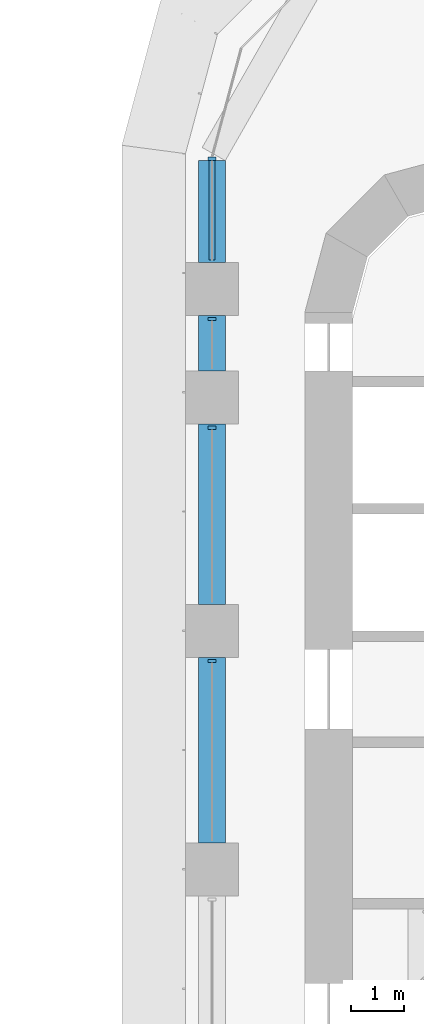
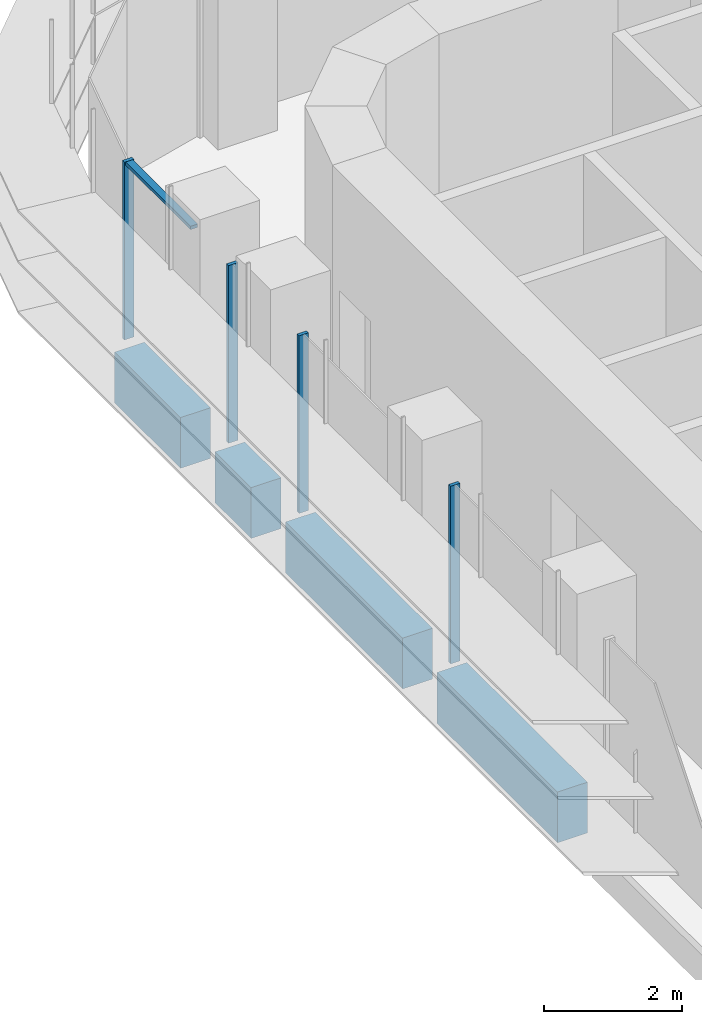
# One storey, part 7 of 23: 5 members, 4 beams, 1 element without a shape of its own.
"""IFC4 building model written with IfcOpenShell, lengths in metres."""

from ifc_helpers import new_model, si_unit, direction, frame, origin, origin_2d, place, context, subcontext, project, spatial, polyline, rectangle, outline, extrude, source, transform, mapped, material, material_profile, profile_set, type_object, element, aggregate, save


model = new_model("IFC4")

# Units and contexts
model_context = context("Model", 3, precision=1e-05, world=origin(), true_north=direction((0.0, 1.0)))
body_context = subcontext(model_context, "Body", "Model", "MODEL_VIEW")
ifc_project = project(units=[si_unit("LENGTHUNIT", "METRE"), si_unit("AREAUNIT", "SQUARE_METRE"), si_unit("VOLUMEUNIT", "CUBIC_METRE"), si_unit("PLANEANGLEUNIT", "RADIAN"), si_unit("MASSUNIT", "GRAM", prefix="KILO")], contexts=[model_context])

# Site, building, storey
site_placement = place(None, origin())
site = spatial("IfcSite", under=ifc_project, at=site_placement, CompositionType="ELEMENT")
building_placement = place(site_placement, origin())
building = spatial("IfcBuilding", under=site, at=building_placement, Name="Zarbagh Exchange Tower", CompositionType="ELEMENT")
storey_placement = place(building_placement, frame((0.0, 0.0, 35.39990234375)))
storey = spatial("IfcBuildingStorey", under=building, at=storey_placement, Name="L07", CompositionType="ELEMENT", Elevation=35.39990234375)

# Beams
ifc_material_1 = material(Name="Concrete C60/75", Category="concrete")
ifc_material_profile = material_profile(ifc_material_1, rectangle(XDim=0.5, YDim=0.89990234375, at=origin_2d()), Name="RC spandrel beam 500 x 900 C60/75")
ifc_profile_set = profile_set([ifc_material_profile], Name="Concrete C60/75")
beam_type = type_object("IfcBeamType", Name="RC spandrel beam 500 x 900 C60/75", PredefinedType="SPANDREL", material=ifc_profile_set)
beam_1_placement = place(storey_placement, frame((-6.25, 16.25, -0.599853515625), z_axis=(0.0, 1.0, 0.0), x_axis=(-1.0, 0.0, 0.0)))
element("IfcBeam", 1, at=beam_1_placement, inside=storey, type_object=beam_type, Name="RC spandrel beam", PredefinedType="SPANDREL", context=body_context, shape_type="SweptSolid", body=[
    extrude(rectangle(XDim=0.5, YDim=0.89990234375, at=origin_2d()), origin(), (0.0, 0.0, 1.0), 3.5),
])
beam_2_placement = place(storey_placement, frame((-6.25, 20.75, -0.599853515625), z_axis=(0.0, 1.0, 0.0), x_axis=(-1.0, 0.0, 0.0)))
element("IfcBeam", 2, at=beam_2_placement, inside=storey, type_object=beam_type, Name="RC spandrel beam", PredefinedType="SPANDREL", context=body_context, shape_type="SweptSolid", body=[
    extrude(rectangle(XDim=0.5, YDim=0.89990234375, at=origin_2d()), origin(), (0.0, 0.0, 1.0), 3.39990234375),
])
beam_3_placement = place(storey_placement, frame((-6.25, 25.14990234375, -0.599853515625), z_axis=(0.0, 1.0, 0.0), x_axis=(-1.0, 0.0, 0.0)))
element("IfcBeam", 3, at=beam_3_placement, inside=storey, type_object=beam_type, Name="RC spandrel beam", PredefinedType="SPANDREL", context=body_context, shape_type="SweptSolid", body=[
    extrude(rectangle(XDim=0.5, YDim=0.89990234375, at=origin_2d()), origin(), (0.0, 0.0, 1.0), 1.050048828125),
])
beam_4_placement = place(storey_placement, frame((-6.25, 27.199951171875, -0.599853515625), z_axis=(0.0, 1.0, 0.0), x_axis=(-1.0, 0.0, 0.0)))
element("IfcBeam", 4, at=beam_4_placement, inside=storey, type_object=beam_type, Name="RC spandrel beam", PredefinedType="SPANDREL", context=body_context, shape_type="SweptSolid", body=[
    extrude(rectangle(XDim=0.5, YDim=0.89990234375, at=origin_2d()), origin(), (0.0, 0.0, 1.0), 1.91796875),
])

# Curtain wall, members
ifc_material_2 = material(Name="Anodised aluminium frame and glazing", Category="aluminium")
curtain_wall_type = type_object("IfcCurtainWallType", Name="CWA Ribbon glazing, lower zones", PredefinedType="NOTDEFINED", material=ifc_material_2)
curtain_wall_placement = place(storey_placement, origin())
curtain_wall = element("IfcCurtainWall", 5, at=curtain_wall_placement, inside=storey, type_object=curtain_wall_type, Name="CWA28 curtain wall", PredefinedType="NOTDEFINED")
ifc_material_3 = material(Name="Anodised aluminium frame", Category="aluminium")
member_type_1 = type_object("IfcMemberType", Name="MUA Mullion, anodised aluminium frame", PredefinedType="MULLION", material=ifc_material_3)
shared_shape_1 = source(origin(), body_context, "Body", "SweptSolid", [
    extrude(outline(polyline([(0.0, -0.080078125), (0.06005859375, -0.080078125), (0.06005859375, 0.080078125), (0.0, 0.080078125), (0.0, -0.080078125)])), origin(), (0.0, 0.0, 1.0), 3.14990234375),
])
placement = place(storey_placement, origin())
member_1 = element("IfcMember", 6, at=placement, type_object=member_type_1, Name="CWA28 mullion 1.1", PredefinedType="MULLION", context=body_context, shape_type="MappedRepresentation", body=[
    mapped(shared_shape_1, transform((-6.25, 29.18408203125, 0.0), x_axis=(0.0, -1.0, 0.0), y_axis=(1.0, 0.0, 0.0), z_axis=(0.0, 0.0, 1.0))),
])
member_2 = element("IfcMember", 7, at=placement, type_object=member_type_1, Name="CWA28 mullion 2.1", PredefinedType="MULLION", context=body_context, shape_type="MappedRepresentation", body=[
    mapped(shared_shape_1, transform((-6.25, 26.159912109375, 0.0), x_axis=(0.0, -1.0, 0.0), y_axis=(1.0, 0.0, 0.0), z_axis=(0.0, 0.0, 1.0))),
])
member_3 = element("IfcMember", 8, at=placement, type_object=member_type_1, Name="CWA28 mullion 3.1", PredefinedType="MULLION", context=body_context, shape_type="MappedRepresentation", body=[
    mapped(shared_shape_1, transform((-6.25, 24.10986328125, 0.0), x_axis=(0.0, -1.0, 0.0), y_axis=(1.0, 0.0, 0.0), z_axis=(0.0, 0.0, 1.0))),
])
member_4 = element("IfcMember", 9, at=placement, type_object=member_type_1, Name="CWA28 mullion 4.1", PredefinedType="MULLION", context=body_context, shape_type="MappedRepresentation", body=[
    mapped(shared_shape_1, transform((-6.25, 19.7099609375, 0.0), x_axis=(0.0, -1.0, 0.0), y_axis=(1.0, 0.0, 0.0), z_axis=(0.0, 0.0, 1.0))),
])
member_type_2 = type_object("IfcMemberType", Name="TRA Transom, anodised aluminium frame", PredefinedType="USERDEFINED", material=ifc_material_3)
shared_shape_2 = source(origin(), body_context, "Body", "SweptSolid", [
    extrude(outline(polyline([(-0.06005859375, -0.06005859375), (0.0, -0.06005859375), (0.0, 0.06005859375), (-0.06005859375, 0.06005859375), (-0.06005859375, -0.06005859375)])), origin(), (0.0, 0.0, 1.0), 1.88427734375),
])
member_5 = element("IfcMember", 10, at=placement, type_object=member_type_2, Name="CWA28 transom 1.1", ObjectType="TRANSOM", PredefinedType="USERDEFINED", context=body_context, shape_type="MappedRepresentation", body=[
    mapped(shared_shape_2, transform((-6.25, 29.124267578125, 3.150146484375), x_axis=(0.0, 0.0, 1.0), y_axis=(-1.0, 0.0, 0.0), z_axis=(0.0, -1.0, 0.0))),
])
aggregate(curtain_wall, [member_1, member_5, member_2, member_3, member_4])

save(model, "model.ifc")
